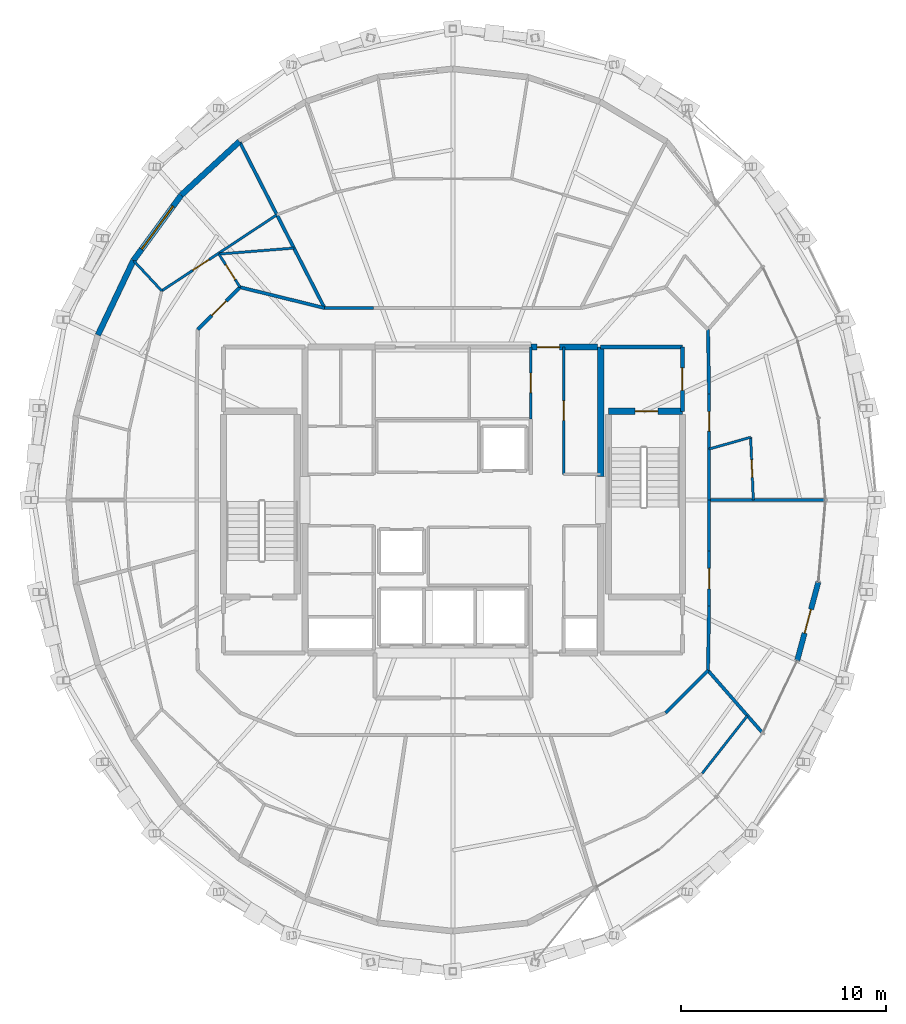
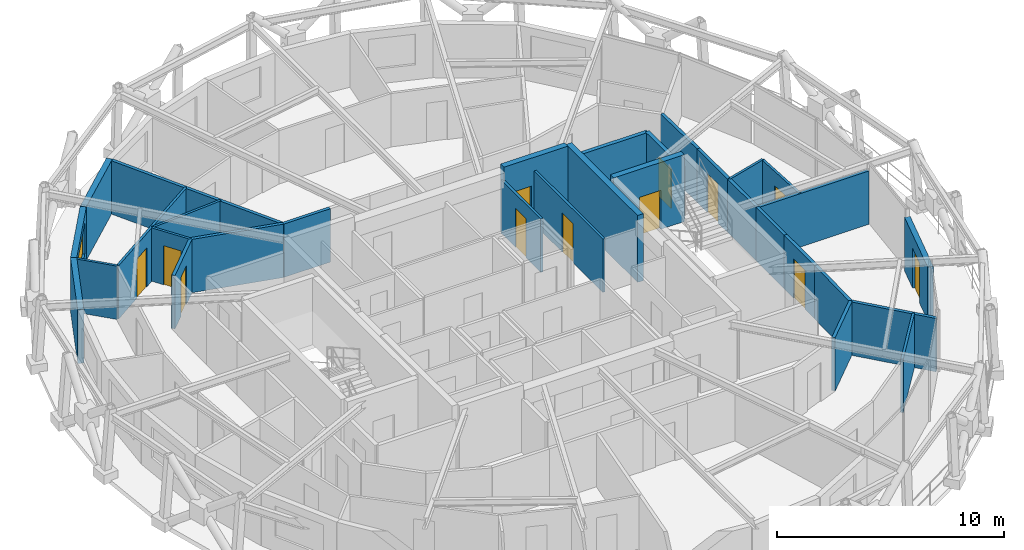
# One storey, part 13 of 16: 31 walls, 12 doors, 1 window, 13 openings.
"""IFC4 building model written with IfcOpenShell, lengths in metres."""

from ifc_helpers import new_model, si_unit, direction, frame, frame_2d, origin, place, context, subcontext, project, spatial, rectangle, extrude, material, layer, layer_set, type_object, element, fill, save


model = new_model("IFC4")

# Units and contexts
model_context = context("Model", 3, precision=1e-05, world=origin(), true_north=direction((0.0, 1.0)))
body_context = subcontext(model_context, "Body", "Model", "MODEL_VIEW")
ifc_project = project(units=[si_unit("LENGTHUNIT", "METRE"), si_unit("AREAUNIT", "SQUARE_METRE"), si_unit("VOLUMEUNIT", "CUBIC_METRE"), si_unit("PLANEANGLEUNIT", "RADIAN"), si_unit("MASSUNIT", "GRAM", prefix="KILO")], contexts=[model_context])

# Site, building, storey
site_placement = place(None, origin())
site = spatial("IfcSite", under=ifc_project, at=site_placement, CompositionType="ELEMENT")
building_placement = place(site_placement, origin())
building = spatial("IfcBuilding", under=site, at=building_placement, Name="Veldorina Hangang Commons", CompositionType="ELEMENT")
storey_placement = place(building_placement, frame((0.0, 0.0, 279.60009765625)))
storey = spatial("IfcBuildingStorey", under=building, at=storey_placement, Name="L73", CompositionType="ELEMENT", Elevation=279.60009765625)

# Wall
ifc_material_1 = material(Name="Concrete C50/60", Category="concrete")
ifc_layer_1 = layer(ifc_material_1, 0.300048828125)
ifc_layer_set_1 = layer_set([ifc_layer_1], Name="Concrete C50/60")
wall_type_1 = type_object("IfcWallType", Name="CW-RC300-C50", PredefinedType="SHEAR", material=ifc_layer_set_1)
wall_1_placement = place(storey_placement, frame((39.199951171875, 25.14990234375, 0.0), z_axis=(0.0, 0.0, 1.0), x_axis=(0.0, 1.0, 0.0)))
element("IfcWall", 1, at=wall_1_placement, inside=storey, type_object=wall_type_1, Name="L73 E north core shear wall", PredefinedType="SHEAR", context=body_context, shape_type="SweptSolid", body=[
    extrude(rectangle(XDim=6.300048828125, YDim=0.300048828125, at=frame_2d((3.14990234375, 0.0))), origin(), (0.0, 0.0, 1.0), 3.599853515625),
])

# Wall, opening, door
wall_2_placement = place(storey_placement, frame((35.800048828125, 31.449951171875, 0.0), z_axis=(0.0, 0.0, 1.0), x_axis=(1.0, 0.0, 0.0)))
wall_2 = element("IfcWall", 2, at=wall_2_placement, inside=storey, type_object=wall_type_1, Name="L73 north-east core shear wall", PredefinedType="SHEAR", context=body_context, shape_type="SweptSolid", body=[
    extrude(rectangle(XDim=3.25, YDim=0.300048828125, at=frame_2d((1.625, 0.0))), origin(), (0.0, 0.0, 1.0), 3.599853515625),
])
opening_1_placement = place(wall_2_placement, frame((0.300048828125, 0.0, 0.0)))
opening_1 = element("IfcOpeningElement", 3, at=opening_1_placement, cuts=wall_2, Name="Opening D-08", PredefinedType="OPENING", context=body_context, shape_type="SweptSolid", body=[
    extrude(rectangle(XDim=1.10009765625, YDim=2.10009765625, at=frame_2d((0.550048828125, 1.050048828125))), frame((0.0, 0.16015625, 0.0), z_axis=(0.0, -1.0, 0.0), x_axis=(1.0, 0.0, 0.0)), (0.0, 0.0, 1.0), 0.320068359375),
])
ifc_material_2 = material(Name="Steel Fire-Rated Smoke Seal", Category="steel")
door_type_1 = type_object("IfcDoorType", Name="DR-FIRE-1100", OperationType="SINGLE_SWING_RIGHT", PredefinedType="DOOR", material=ifc_material_2)
door_1_placement = place(opening_1_placement, origin())
door_1 = element("IfcDoor", 4, at=door_1_placement, inside=storey, type_object=door_type_1, Name="L73 central lift lobby north corridor door", OperationType="SINGLE_SWING_LEFT", OverallHeight=2.10009765625, OverallWidth=1.10009765625, PredefinedType="DOOR", context=body_context, shape_type="SweptSolid", body=[
    extrude(rectangle(XDim=1.10009765625, YDim=2.10009765625, at=frame_2d((0.550048828125, 1.050048828125))), frame((0.0, 0.02490234375, 0.0), z_axis=(0.0, -1.0, 0.0), x_axis=(1.0, 0.0, 0.0)), (0.0, 0.0, 1.0), 0.050048828125),
])
fill(opening_1, door_1)

ifc_material_3 = material(Name="Stone Roman Travertine", Category="masonry")
ifc_layer_2 = layer(ifc_material_3, 0.260009765625)
ifc_layer_set_2 = layer_set([ifc_layer_2], Name="Stone Roman Travertine")
wall_type_2 = type_object("IfcWallType", Name="EW-LOGGIA-260", PredefinedType="STANDARD", material=ifc_layer_set_2)
wall_3_placement = place(storey_placement, frame((48.77099609375, 16.177734375, 0.0), z_axis=(0.0, 0.0, 1.0), x_axis=(0.260114573909, 0.965577758878, 0.0)))
wall_3 = element("IfcWall", 5, at=wall_3_placement, inside=storey, type_object=wall_type_2, Name="L73 sky-garden loggia portal wall 30", PredefinedType="STANDARD", context=body_context, shape_type="SweptSolid", body=[
    extrude(rectangle(XDim=3.97119140625, YDim=0.260009765625, at=frame_2d((1.985595703125, 0.0))), origin(), (0.0, 0.0, 1.0), 2.8798828125),
])
opening_2_placement = place(wall_3_placement, frame((1.385498046875, 0.0, 0.0)))
opening_2 = element("IfcOpeningElement", 6, at=opening_2_placement, cuts=wall_3, Name="Opening BD-1200", PredefinedType="OPENING", context=body_context, shape_type="SweptSolid", body=[
    extrude(rectangle(XDim=1.199951171875, YDim=2.14990234375, at=frame_2d((0.60009765625, 1.074951171875))), frame((0.0, 0.14013671875, 0.0), z_axis=(0.0, -1.0, 0.0), x_axis=(1.0, 0.0, 0.0)), (0.0, 0.0, 1.0), 0.280029296875),
])
ifc_material_4 = material(Name="Glass Thermal Aluminium Frame", Category="aluminium")
door_type_2 = type_object("IfcDoorType", Name="DR-EXT-LOG1200", OperationType="SINGLE_SWING_LEFT", PredefinedType="DOOR", material=ifc_material_4)
door_2_placement = place(opening_2_placement, origin())
door_2 = element("IfcDoor", 7, at=door_2_placement, inside=storey, type_object=door_type_2, Name="L73 loggia glazed exterior door 30", OperationType="SINGLE_SWING_LEFT", OverallHeight=2.14990234375, OverallWidth=1.199951171875, PredefinedType="DOOR", context=body_context, shape_type="SweptSolid", body=[
    extrude(rectangle(XDim=1.199951171875, YDim=2.14990234375, at=frame_2d((0.60009765625, 1.074951171875))), frame((0.0, 0.02490234375, 0.0), z_axis=(0.0, -1.0, 0.0), x_axis=(1.0, 0.0, 0.0)), (0.0, 0.0, 1.0), 0.050048828125),
])
fill(opening_2, door_2)

# Wall
ifc_layer_3 = layer(ifc_material_3, 0.280029296875)
ifc_layer_set_3 = layer_set([ifc_layer_3], Name="Stone Roman Travertine")
wall_type_3 = type_object("IfcWallType", Name="EW-TRAV-280", PredefinedType="STANDARD", material=ifc_layer_set_3)
wall_4_placement = place(storey_placement, frame((21.603759765625, 41.46142578125, 0.0), z_axis=(0.0, 0.0, 1.0), x_axis=(-0.735545935602, -0.677474853127, 0.0)))
element("IfcWall", 8, at=wall_4_placement, inside=storey, type_object=wall_type_3, Name="L73 travertine facade wall 11", PredefinedType="STANDARD", context=body_context, shape_type="SweptSolid", body=[
    extrude(rectangle(XDim=3.855224609375, YDim=0.280029296875, at=frame_2d((1.927734375, 0.0))), origin(), (0.0, 0.0, 1.0), 2.8798828125),
])

# Wall, opening, window
wall_5_placement = place(storey_placement, frame((18.76806640625, 38.849609375, 0.0), z_axis=(0.0, 0.0, 1.0), x_axis=(-0.590275846693, -0.807201601095, 0.0)))
wall_5 = element("IfcWall", 9, at=wall_5_placement, inside=storey, type_object=wall_type_3, Name="L73 travertine facade wall 12", PredefinedType="STANDARD", context=body_context, shape_type="SweptSolid", body=[
    extrude(rectangle(XDim=3.9423828125, YDim=0.280029296875, at=frame_2d((1.97119140625, 0.0))), origin(), (0.0, 0.0, 1.0), 2.8798828125),
])
opening_3_placement = place(wall_5_placement, frame((0.671142578125, 0.0, 0.800048828125)))
opening_3 = element("IfcOpeningElement", 10, at=opening_3_placement, cuts=wall_5, Name="Opening W-02", PredefinedType="OPENING", context=body_context, shape_type="SweptSolid", body=[
    extrude(rectangle(XDim=2.60009765625, YDim=1.64990234375, at=frame_2d((1.300048828125, 0.824951171875))), frame((0.0, 0.14990234375, 0.0), z_axis=(0.0, -1.0, 0.0), x_axis=(1.0, 0.0, 0.0)), (0.0, 0.0, 1.0), 0.300048828125),
])
ifc_material_5 = material(Name="Glass Low-E Triple IGU", Category="glass")
window_type = type_object("IfcWindowType", Name="WIN-TWR-2600", PartitioningType="SINGLE_PANEL", PredefinedType="WINDOW", material=ifc_material_5)
window_placement = place(opening_3_placement, origin())
window = element("IfcWindow", 11, at=window_placement, inside=storey, type_object=window_type, Name="L73 facade window 12", OverallHeight=1.64990234375, OverallWidth=2.60009765625, PartitioningType="SINGLE_PANEL", PredefinedType="WINDOW", context=body_context, shape_type="SweptSolid", body=[
    extrude(rectangle(XDim=2.60009765625, YDim=1.64990234375, at=frame_2d((1.300048828125, 0.824951171875))), frame((0.0, 0.030029296875, 0.0), z_axis=(0.0, -1.0, 0.0), x_axis=(1.0, 0.0, 0.0)), (0.0, 0.0, 1.0), 0.06005859375),
])
fill(opening_3, window)

# Wall
wall_6_placement = place(storey_placement, frame((16.44091796875, 35.667236328125, 0.0), z_axis=(0.0, 0.0, 1.0), x_axis=(-0.430011346388, -0.902823483289, 0.0)))
element("IfcWall", 12, at=wall_6_placement, inside=storey, type_object=wall_type_3, Name="L73 travertine facade wall 13", PredefinedType="STANDARD", context=body_context, shape_type="SweptSolid", body=[
    extrude(rectangle(XDim=4.021484375, YDim=0.280029296875, at=frame_2d((2.0107421875, 0.0))), origin(), (0.0, 0.0, 1.0), 2.8798828125),
])

# Wall, opening, door
ifc_layer_4 = layer(ifc_material_1, 0.300048828125)
ifc_layer_set_4 = layer_set([ifc_layer_4], Name="Concrete C50/60")
wall_type_4 = type_object("IfcWallType", Name="SW-STAIR-300", PredefinedType="SHEAR", material=ifc_layer_set_4)
wall_7_placement = place(storey_placement, frame((39.580078125, 28.320068359375, 0.0), z_axis=(0.0, 0.0, 1.0), x_axis=(1.0, 0.0, 0.0)))
wall_7 = element("IfcWall", 13, at=wall_7_placement, inside=storey, type_object=wall_type_4, Name="L73 ST2 north stair shear wall", PredefinedType="SHEAR", context=body_context, shape_type="SweptSolid", body=[
    extrude(rectangle(XDim=3.599853515625, YDim=0.300048828125, at=frame_2d((1.7998046875, 0.0))), origin(), (0.0, 0.0, 1.0), 3.599853515625),
])
opening_4_placement = place(wall_7_placement, frame((1.300048828125, 0.0, 0.0)))
opening_4 = element("IfcOpeningElement", 14, at=opening_4_placement, cuts=wall_7, Name="Opening D-08", PredefinedType="OPENING", context=body_context, shape_type="SweptSolid", body=[
    extrude(rectangle(XDim=1.10009765625, YDim=2.10009765625, at=frame_2d((0.550048828125, 1.050048828125))), frame((0.0, 0.16015625, 0.0), z_axis=(0.0, -1.0, 0.0), x_axis=(1.0, 0.0, 0.0)), (0.0, 0.0, 1.0), 0.320068359375),
])
door_3_placement = place(opening_4_placement, origin())
door_3 = element("IfcDoor", 15, at=door_3_placement, inside=storey, type_object=door_type_1, Name="L73 Special Escape Stair ST-2 door", OperationType="SINGLE_SWING_RIGHT", OverallHeight=2.10009765625, OverallWidth=1.10009765625, PredefinedType="DOOR", context=body_context, shape_type="SweptSolid", body=[
    extrude(rectangle(XDim=1.10009765625, YDim=2.10009765625, at=frame_2d((0.550048828125, 1.050048828125))), frame((0.0, 0.02490234375, 0.0), z_axis=(0.0, -1.0, 0.0), x_axis=(1.0, 0.0, 0.0)), (0.0, 0.0, 1.0), 0.050048828125),
])
fill(opening_4, door_3)

# Wall
ifc_material_6 = material(Name="Gypsum Fire-Rated Twin Stud Wall", Category="gypsum")
ifc_layer_5 = layer(ifc_material_6, 0.159912109375)
ifc_layer_set_5 = layer_set([ifc_layer_5], Name="Gypsum Fire-Rated Twin Stud Wall")
wall_type_5 = type_object("IfcWallType", Name="WL-FIRE-160", PredefinedType="SOLIDWALL", material=ifc_layer_set_5)
wall_8_placement = place(storey_placement, frame((44.47998046875, 24.0, 0.0), z_axis=(0.0, 0.0, 1.0), x_axis=(0.0, 1.0, 0.0)))
element("IfcWall", 16, at=wall_8_placement, inside=storey, type_object=wall_type_5, Name="L73 Compact collar outer wall 00 054", PredefinedType="SOLIDWALL", context=body_context, shape_type="SweptSolid", body=[
    extrude(rectangle(XDim=2.482421875, YDim=0.159912109375, at=frame_2d((1.2412109375, 0.0))), origin(), (0.0, 0.0, 1.0), 2.869873046875),
])

# Wall, opening, door
wall_9_placement = place(storey_placement, frame((44.47998046875, 26.482421875, 0.0), z_axis=(0.0, 0.0, 1.0), x_axis=(0.0, 1.0, 0.0)))
wall_9 = element("IfcWall", 17, at=wall_9_placement, inside=storey, type_object=wall_type_5, Name="L73 Compact collar outer wall 01 055", PredefinedType="SOLIDWALL", context=body_context, shape_type="SweptSolid", body=[
    extrude(rectangle(XDim=2.68701171875, YDim=0.159912109375, at=frame_2d((1.343505859375, 0.0))), origin(), (0.0, 0.0, 1.0), 2.869873046875),
])
opening_5_placement = place(wall_9_placement, frame((0.868408203125, 0.0, 0.0)))
opening_5 = element("IfcOpeningElement", 18, at=opening_5_placement, cuts=wall_9, Name="Opening D-03", PredefinedType="OPENING", context=body_context, shape_type="SweptSolid", body=[
    extrude(rectangle(XDim=0.949951171875, YDim=2.10009765625, at=frame_2d((0.47509765625, 1.050048828125))), frame((0.0, 0.08984375, 0.0), z_axis=(0.0, -1.0, 0.0), x_axis=(1.0, 0.0, 0.0)), (0.0, 0.0, 1.0), 0.179931640625),
])
ifc_material_7 = material(Name="Timber Fire-Rated Entrance Core", Category="wood")
door_type_3 = type_object("IfcDoorType", Name="DR-UNIT-950", OperationType="SINGLE_SWING_RIGHT", PredefinedType="DOOR", material=ifc_material_7)
door_4_placement = place(opening_5_placement, origin())
door_4 = element("IfcDoor", 19, at=door_4_placement, inside=storey, type_object=door_type_3, Name="L73 Studio 2 entrance door 024", OperationType="SINGLE_SWING_RIGHT", OverallHeight=2.10009765625, OverallWidth=0.949951171875, PredefinedType="DOOR", context=body_context, shape_type="SweptSolid", body=[
    extrude(rectangle(XDim=0.949951171875, YDim=2.10009765625, at=frame_2d((0.47509765625, 1.050048828125))), frame((0.0, 0.02490234375, 0.0), z_axis=(0.0, -1.0, 0.0), x_axis=(1.0, 0.0, 0.0)), (0.0, 0.0, 1.0), 0.050048828125),
])
fill(opening_5, door_4)

# Walls
wall_10_placement = place(storey_placement, frame((44.47998046875, 29.16943359375, 0.0), z_axis=(0.0, 0.0, 1.0), x_axis=(-0.016981035134, 0.999855811828, 0.0)))
element("IfcWall", 20, at=wall_10_placement, inside=storey, type_object=wall_type_5, Name="L73 Compact collar outer wall 02 056", PredefinedType="SOLIDWALL", context=body_context, shape_type="SweptSolid", body=[
    extrude(rectangle(XDim=3.13427734375, YDim=0.159912109375, at=frame_2d((1.567138671875, 0.0))), origin(), (0.0, 0.0, 1.0), 2.869873046875),
])
wall_11_placement = place(storey_placement, frame((28.127197265625, 33.35009765625, 0.0), z_axis=(0.0, 0.0, 1.0), x_axis=(-1.0, 0.0, 0.0)))
element("IfcWall", 21, at=wall_11_placement, inside=storey, type_object=wall_type_5, Name="L73 Compact collar outer wall 10 064", PredefinedType="SOLIDWALL", context=body_context, shape_type="SweptSolid", body=[
    extrude(rectangle(XDim=2.374755859375, YDim=0.159912109375, at=frame_2d((1.1875, 0.0))), origin(), (0.0, 0.0, 1.0), 2.869873046875),
])
wall_12_placement = place(storey_placement, frame((25.75244140625, 33.35009765625, 0.0), z_axis=(0.0, 0.0, 1.0), x_axis=(-0.970939799552, 0.239323850978, 0.0)))
element("IfcWall", 22, at=wall_12_placement, inside=storey, type_object=wall_type_5, Name="L73 Compact collar outer wall 11 065", PredefinedType="SOLIDWALL", context=body_context, shape_type="SweptSolid", body=[
    extrude(rectangle(XDim=4.24072265625, YDim=0.159912109375, at=frame_2d((2.120361328125, 0.0))), origin(), (0.0, 0.0, 1.0), 2.869873046875),
])

# Wall, opening, door
wall_13_placement = place(storey_placement, frame((21.635009765625, 34.364990234375, 0.0), z_axis=(0.0, 0.0, 1.0), x_axis=(-0.707106781187, -0.707106781187, 0.0)))
wall_13 = element("IfcWall", 23, at=wall_13_placement, inside=storey, type_object=wall_type_5, Name="L73 Compact collar outer wall 12 066", PredefinedType="SOLIDWALL", context=body_context, shape_type="SweptSolid", body=[
    extrude(rectangle(XDim=2.915771484375, YDim=0.159912109375, at=frame_2d((1.4580078125, 0.0))), origin(), (0.0, 0.0, 1.0), 2.869873046875),
])
opening_6_placement = place(wall_13_placement, frame((0.9580078125, 0.0, 0.0)))
opening_6 = element("IfcOpeningElement", 24, at=opening_6_placement, cuts=wall_13, Name="Opening D-06", PredefinedType="OPENING", context=body_context, shape_type="SweptSolid", body=[
    extrude(rectangle(XDim=1.0, YDim=2.10009765625, at=frame_2d((0.5, 1.050048828125))), frame((0.0, 0.08984375, 0.0), z_axis=(0.0, -1.0, 0.0), x_axis=(1.0, 0.0, 0.0)), (0.0, 0.0, 1.0), 0.179931640625),
])
door_type_4 = type_object("IfcDoorType", Name="DR-UNIT-1000", OperationType="SINGLE_SWING_LEFT", PredefinedType="DOOR", material=ifc_material_7)
door_5_placement = place(opening_6_placement, origin())
door_5 = element("IfcDoor", 25, at=door_5_placement, inside=storey, type_object=door_type_4, Name="L73 Cluster 5 entrance door 034", OperationType="SINGLE_SWING_RIGHT", OverallHeight=2.10009765625, OverallWidth=1.0, PredefinedType="DOOR", context=body_context, shape_type="SweptSolid", body=[
    extrude(rectangle(XDim=1.0, YDim=2.10009765625, at=frame_2d((0.5, 1.050048828125))), frame((0.0, 0.02490234375, 0.0), z_axis=(0.0, -1.0, 0.0), x_axis=(1.0, 0.0, 0.0)), (0.0, 0.0, 1.0), 0.050048828125),
])
fill(opening_6, door_5)

# Walls
wall_14_placement = place(storey_placement, frame((42.364990234375, 13.635009765625, 0.0), z_axis=(0.0, 0.0, 1.0), x_axis=(0.707106781187, 0.707106781187, 0.0)))
element("IfcWall", 26, at=wall_14_placement, inside=storey, type_object=wall_type_5, Name="L73 Compact collar outer wall 28 082", PredefinedType="SOLIDWALL", context=body_context, shape_type="SweptSolid", body=[
    extrude(rectangle(XDim=2.915771484375, YDim=0.159912109375, at=frame_2d((1.4580078125, 0.0))), origin(), (0.0, 0.0, 1.0), 2.869873046875),
])
wall_15_placement = place(storey_placement, frame((44.4267578125, 15.69677734375, 0.0), z_axis=(0.0, 0.0, 1.0), x_axis=(0.016981035134, 0.999855811828, 0.0)))
element("IfcWall", 27, at=wall_15_placement, inside=storey, type_object=wall_type_5, Name="L73 Compact collar outer wall 29 083", PredefinedType="SOLIDWALL", context=body_context, shape_type="SweptSolid", body=[
    extrude(rectangle(XDim=3.13427734375, YDim=0.159912109375, at=frame_2d((1.567138671875, 0.0))), origin(), (0.0, 0.0, 1.0), 2.869873046875),
])

# Wall, opening, door
wall_16_placement = place(storey_placement, frame((44.47998046875, 18.83056640625, 0.0), z_axis=(0.0, 0.0, 1.0), x_axis=(0.0, 1.0, 0.0)))
wall_16 = element("IfcWall", 28, at=wall_16_placement, inside=storey, type_object=wall_type_5, Name="L73 Compact collar outer wall 30 084", PredefinedType="SOLIDWALL", context=body_context, shape_type="SweptSolid", body=[
    extrude(rectangle(XDim=2.68701171875, YDim=0.159912109375, at=frame_2d((1.343505859375, 0.0))), origin(), (0.0, 0.0, 1.0), 2.869873046875),
])
opening_7_placement = place(wall_16_placement, frame((0.843505859375, 0.0, 0.0)))
opening_7 = element("IfcOpeningElement", 29, at=opening_7_placement, cuts=wall_16, Name="Opening D-05", PredefinedType="OPENING", context=body_context, shape_type="SweptSolid", body=[
    extrude(rectangle(XDim=1.0, YDim=2.10009765625, at=frame_2d((0.5, 1.050048828125))), frame((0.0, 0.08984375, 0.0), z_axis=(0.0, -1.0, 0.0), x_axis=(1.0, 0.0, 0.0)), (0.0, 0.0, 1.0), 0.179931640625),
])
ifc_material_8 = material(Name="Timber Solid Core Acoustic", Category="wood")
door_type_5 = type_object("IfcDoorType", Name="DR-INT-1000", OperationType="SINGLE_SWING_RIGHT", PredefinedType="DOOR", material=ifc_material_8)
door_6_placement = place(opening_7_placement, origin())
door_6 = element("IfcDoor", 30, at=door_6_placement, inside=storey, type_object=door_type_5, Name="L73 Sky-Garden Commons Lounge door 022", OperationType="SINGLE_SWING_RIGHT", OverallHeight=2.10009765625, OverallWidth=1.0, PredefinedType="DOOR", context=body_context, shape_type="SweptSolid", body=[
    extrude(rectangle(XDim=1.0, YDim=2.10009765625, at=frame_2d((0.5, 1.050048828125))), frame((0.0, 0.02490234375, 0.0), z_axis=(0.0, -1.0, 0.0), x_axis=(1.0, 0.0, 0.0)), (0.0, 0.0, 1.0), 0.050048828125),
])
fill(opening_7, door_6)

# Walls
wall_17_placement = place(storey_placement, frame((44.47998046875, 21.517578125, 0.0), z_axis=(0.0, 0.0, 1.0), x_axis=(0.0, 1.0, 0.0)))
element("IfcWall", 31, at=wall_17_placement, inside=storey, type_object=wall_type_5, Name="L73 Compact collar outer wall 31 085", PredefinedType="SOLIDWALL", context=body_context, shape_type="SweptSolid", body=[
    extrude(rectangle(XDim=2.482421875, YDim=0.159912109375, at=frame_2d((1.2412109375, 0.0))), origin(), (0.0, 0.0, 1.0), 2.869873046875),
])
wall_18_placement = place(storey_placement, frame((44.4267578125, 15.69677734375, 0.0), z_axis=(0.0, 0.0, 1.0), x_axis=(0.657843835953, -0.753154358348, 0.0)))
element("IfcWall", 32, at=wall_18_placement, inside=storey, type_object=wall_type_5, Name="L73 Unit party wall 29 086", PredefinedType="SOLIDWALL", context=body_context, shape_type="SweptSolid", body=[
    extrude(rectangle(XDim=4.003662109375, YDim=0.159912109375, at=frame_2d((2.001953125, 0.0))), origin(), (0.0, 0.0, 1.0), 2.869873046875),
])
wall_19_placement = place(storey_placement, frame((44.47998046875, 24.0, 0.0), z_axis=(0.0, 0.0, 1.0), x_axis=(1.0, 0.0, 0.0)))
element("IfcWall", 33, at=wall_19_placement, inside=storey, type_object=wall_type_5, Name="L73 Unit party wall 00 087", PredefinedType="SOLIDWALL", context=body_context, shape_type="SweptSolid", body=[
    extrude(rectangle(XDim=5.622802734375, YDim=0.159912109375, at=frame_2d((2.8115234375, 0.0))), origin(), (0.0, 0.0, 1.0), 2.869873046875),
])
wall_20_placement = place(storey_placement, frame((25.75244140625, 33.35009765625, 0.0), z_axis=(0.0, 0.0, 1.0), x_axis=(-0.455343199474, 0.890315994854, 0.0)))
element("IfcWall", 34, at=wall_20_placement, inside=storey, type_object=wall_type_5, Name="L73 Unit party wall 11 103", PredefinedType="SOLIDWALL", context=body_context, shape_type="SweptSolid", body=[
    extrude(rectangle(XDim=9.060791015625, YDim=0.159912109375, at=frame_2d((4.5302734375, 0.0))), origin(), (0.0, 0.0, 1.0), 2.869873046875),
])

# Wall, opening, door
ifc_material_9 = material(Name="Concrete Blockwork Fire Wall C30/37", Category="masonry")
ifc_layer_6 = layer(ifc_material_9, 0.199951171875)
ifc_layer_set_6 = layer_set([ifc_layer_6], Name="Concrete Blockwork Fire Wall C30/37")
wall_type_6 = type_object("IfcWallType", Name="WL-FIRE-200", PredefinedType="SOLIDWALL", material=ifc_layer_set_6)
wall_21_placement = place(storey_placement, frame((43.179931640625, 28.320068359375, 0.0), z_axis=(0.0, 0.0, 1.0), x_axis=(0.0, 1.0, 0.0)))
wall_21 = element("IfcWall", 35, at=wall_21_placement, inside=storey, type_object=wall_type_6, Name="L73 East vestibule outer wall 003", PredefinedType="SOLIDWALL", context=body_context, shape_type="SweptSolid", body=[
    extrude(rectangle(XDim=3.1298828125, YDim=0.199951171875, at=frame_2d((1.56494140625, 0.0))), origin(), (0.0, 0.0, 1.0), 2.869873046875),
])
opening_8_placement = place(wall_21_placement, frame((1.014892578125, 0.0, 0.0)))
opening_8 = element("IfcOpeningElement", 36, at=opening_8_placement, cuts=wall_21, Name="Opening D-08", PredefinedType="OPENING", context=body_context, shape_type="SweptSolid", body=[
    extrude(rectangle(XDim=1.10009765625, YDim=2.10009765625, at=frame_2d((0.550048828125, 1.050048828125))), frame((0.0, 0.10986328125, 0.0), z_axis=(0.0, -1.0, 0.0), x_axis=(1.0, 0.0, 0.0)), (0.0, 0.0, 1.0), 0.219970703125),
])
door_7_placement = place(opening_8_placement, origin())
door_7 = element("IfcDoor", 37, at=door_7_placement, inside=storey, type_object=door_type_1, Name="L73 East vestibule east door 002", OperationType="SINGLE_SWING_RIGHT", OverallHeight=2.10009765625, OverallWidth=1.10009765625, PredefinedType="DOOR", context=body_context, shape_type="SweptSolid", body=[
    extrude(rectangle(XDim=1.10009765625, YDim=2.10009765625, at=frame_2d((0.550048828125, 1.050048828125))), frame((0.0, 0.02490234375, 0.0), z_axis=(0.0, -1.0, 0.0), x_axis=(1.0, 0.0, 0.0)), (0.0, 0.0, 1.0), 0.050048828125),
])
fill(opening_8, door_7)

# Wall
wall_22_placement = place(storey_placement, frame((39.199951171875, 31.449951171875, 0.0), z_axis=(0.0, 0.0, 1.0), x_axis=(1.0, 0.0, 0.0)))
element("IfcWall", 38, at=wall_22_placement, inside=storey, type_object=wall_type_6, Name="L73 East vestibule north wall 004", PredefinedType="SOLIDWALL", context=body_context, shape_type="SweptSolid", body=[
    extrude(rectangle(XDim=3.97998046875, YDim=0.199951171875, at=frame_2d((1.989990234375, 0.0))), origin(), (0.0, 0.0, 1.0), 2.869873046875),
])

# Wall, opening, door
ifc_material_10 = material(Name="Gypsum Acoustic Stud Partition", Category="gypsum")
ifc_layer_7 = layer(ifc_material_10, 0.1201171875)
ifc_layer_set_7 = layer_set([ifc_layer_7], Name="Gypsum Acoustic Stud Partition")
wall_type_7 = type_object("IfcWallType", Name="WL-PART-120", PredefinedType="PARTITIONING", material=ifc_layer_set_7)
wall_23_placement = place(storey_placement, frame((35.800048828125, 27.949951171875, 0.0), z_axis=(0.0, 0.0, 1.0), x_axis=(0.0, 1.0, 0.0)))
wall_23 = element("IfcWall", 39, at=wall_23_placement, inside=storey, type_object=wall_type_7, Name="L73 Merged north east wall 031", PredefinedType="PARTITIONING", context=body_context, shape_type="SweptSolid", body=[
    extrude(rectangle(XDim=3.5, YDim=0.1201171875, at=frame_2d((1.75, 0.0))), origin(), (0.0, 0.0, 1.0), 2.869873046875),
])
opening_9_placement = place(wall_23_placement, frame((1.27490234375, 0.0, 0.0)))
opening_9 = element("IfcOpeningElement", 40, at=opening_9_placement, cuts=wall_23, Name="Opening D-02", PredefinedType="OPENING", context=body_context, shape_type="SweptSolid", body=[
    extrude(rectangle(XDim=0.949951171875, YDim=2.10009765625, at=frame_2d((0.47509765625, 1.050048828125))), frame((0.0, 0.070068359375, 0.0), z_axis=(0.0, -1.0, 0.0), x_axis=(1.0, 0.0, 0.0)), (0.0, 0.0, 1.0), 0.14013671875),
])
door_type_6 = type_object("IfcDoorType", Name="DR-INT-950", OperationType="SINGLE_SWING_LEFT", PredefinedType="DOOR", material=ifc_material_8)
door_8_placement = place(opening_9_placement, origin())
door_8 = element("IfcDoor", 41, at=door_8_placement, inside=storey, type_object=door_type_6, Name="L73 Core linen store door 012", OperationType="SINGLE_SWING_RIGHT", OverallHeight=2.10009765625, OverallWidth=0.949951171875, PredefinedType="DOOR", context=body_context, shape_type="SweptSolid", body=[
    extrude(rectangle(XDim=0.949951171875, YDim=2.10009765625, at=frame_2d((0.47509765625, 1.050048828125))), frame((0.0, 0.02490234375, 0.0), z_axis=(0.0, -1.0, 0.0), x_axis=(1.0, 0.0, 0.0)), (0.0, 0.0, 1.0), 0.050048828125),
])
fill(opening_9, door_8)

wall_24_placement = place(storey_placement, frame((37.39990234375, 25.25, 0.0), z_axis=(0.0, 0.0, 1.0), x_axis=(0.0, 1.0, 0.0)))
wall_24 = element("IfcWall", 42, at=wall_24_placement, inside=storey, type_object=wall_type_7, Name="L73 NE strip lobby wall 047", PredefinedType="PARTITIONING", context=body_context, shape_type="SweptSolid", body=[
    extrude(rectangle(XDim=6.199951171875, YDim=0.1201171875, at=frame_2d((3.10009765625, 0.0))), origin(), (0.0, 0.0, 1.0), 2.869873046875),
])
opening_10_placement = place(wall_24_placement, frame((2.625, 0.0, 0.0)))
opening_10 = element("IfcOpeningElement", 43, at=opening_10_placement, cuts=wall_24, Name="Opening D-02", PredefinedType="OPENING", context=body_context, shape_type="SweptSolid", body=[
    extrude(rectangle(XDim=0.949951171875, YDim=2.10009765625, at=frame_2d((0.47509765625, 1.050048828125))), frame((0.0, 0.070068359375, 0.0), z_axis=(0.0, -1.0, 0.0), x_axis=(1.0, 0.0, 0.0)), (0.0, 0.0, 1.0), 0.14013671875),
])
door_9_placement = place(opening_10_placement, origin())
door_9 = element("IfcDoor", 44, at=door_9_placement, inside=storey, type_object=door_type_6, Name="L73 Switchboard door 020", OperationType="SINGLE_SWING_RIGHT", OverallHeight=2.10009765625, OverallWidth=0.949951171875, PredefinedType="DOOR", context=body_context, shape_type="SweptSolid", body=[
    extrude(rectangle(XDim=0.949951171875, YDim=2.10009765625, at=frame_2d((0.47509765625, 1.050048828125))), frame((0.0, 0.02490234375, 0.0), z_axis=(0.0, -1.0, 0.0), x_axis=(1.0, 0.0, 0.0)), (0.0, 0.0, 1.0), 0.050048828125),
])
fill(opening_10, door_9)

wall_25_placement = place(storey_placement, frame((46.635498046875, 24.0, 0.0), z_axis=(0.0, 0.0, 1.0), x_axis=(-0.043281280957, 0.999062926306, 0.0)))
wall_25 = element("IfcWall", 45, at=wall_25_placement, inside=storey, type_object=wall_type_7, Name="L73 Studio 2 bath front wall 088", PredefinedType="PARTITIONING", context=body_context, shape_type="SweptSolid", body=[
    extrude(rectangle(XDim=3.057373046875, YDim=0.1201171875, at=frame_2d((1.52880859375, 0.0))), origin(), (0.0, 0.0, 1.0), 2.869873046875),
])
opening_11_placement = place(wall_25_placement, frame((1.0986328125, 0.0, 0.0)))
opening_11 = element("IfcOpeningElement", 46, at=opening_11_placement, cuts=wall_25, Name="Opening D-01", PredefinedType="OPENING", context=body_context, shape_type="SweptSolid", body=[
    extrude(rectangle(XDim=0.860107421875, YDim=2.10009765625, at=frame_2d((0.43017578125, 1.050048828125))), frame((0.0, 0.070068359375, 0.0), z_axis=(0.0, -1.0, 0.0), x_axis=(1.0, 0.0, 0.0)), (0.0, 0.0, 1.0), 0.14013671875),
])
ifc_material_11 = material(Name="Timber Moisture-Resistant Core", Category="wood")
door_type_7 = type_object("IfcDoorType", Name="DR-WET-860", OperationType="SINGLE_SWING_LEFT", PredefinedType="DOOR", material=ifc_material_11)
door_10_placement = place(opening_11_placement, origin())
door_10 = element("IfcDoor", 47, at=door_10_placement, inside=storey, type_object=door_type_7, Name="L73 Studio 2 bathroom door 023", OperationType="SINGLE_SWING_LEFT", OverallHeight=2.10009765625, OverallWidth=0.860107421875, PredefinedType="DOOR", context=body_context, shape_type="SweptSolid", body=[
    extrude(rectangle(XDim=0.860107421875, YDim=2.10009765625, at=frame_2d((0.43017578125, 1.050048828125))), frame((0.0, 0.02490234375, 0.0), z_axis=(0.0, -1.0, 0.0), x_axis=(1.0, 0.0, 0.0)), (0.0, 0.0, 1.0), 0.050048828125),
])
fill(opening_11, door_10)

# Walls
wall_26_placement = place(storey_placement, frame((44.47998046875, 26.482421875, 0.0), z_axis=(0.0, 0.0, 1.0), x_axis=(0.962278347066, 0.272066871869, 0.0)))
element("IfcWall", 48, at=wall_26_placement, inside=storey, type_object=wall_type_7, Name="L73 Studio 2 bath side wall 089", PredefinedType="PARTITIONING", context=body_context, shape_type="SweptSolid", body=[
    extrude(rectangle(XDim=2.1025390625, YDim=0.1201171875, at=frame_2d((1.05126953125, 0.0))), origin(), (0.0, 0.0, 1.0), 2.869873046875),
])
wall_27_placement = place(storey_placement, frame((24.259033203125, 36.27001953125, 0.0), z_axis=(0.0, 0.0, 1.0), x_axis=(-0.996857888432, -0.079210796423, 0.0)))
element("IfcWall", 49, at=wall_27_placement, inside=storey, type_object=wall_type_7, Name="L73 Cluster 5 bath front wall 104", PredefinedType="PARTITIONING", context=body_context, shape_type="SweptSolid", body=[
    extrude(rectangle(XDim=3.667724609375, YDim=0.1201171875, at=frame_2d((1.833984375, 0.0))), origin(), (0.0, 0.0, 1.0), 2.869873046875),
])

# Wall, opening, door
wall_28_placement = place(storey_placement, frame((21.635009765625, 34.364990234375, 0.0), z_axis=(0.0, 0.0, 1.0), x_axis=(-0.538663184237, 0.842521200889, 0.0)))
wall_28 = element("IfcWall", 50, at=wall_28_placement, inside=storey, type_object=wall_type_7, Name="L73 Cluster 5 bath side wall 105", PredefinedType="PARTITIONING", context=body_context, shape_type="SweptSolid", body=[
    extrude(rectangle(XDim=1.916259765625, YDim=0.1201171875, at=frame_2d((0.9580078125, 0.0))), origin(), (0.0, 0.0, 1.0), 2.869873046875),
])
opening_12_placement = place(wall_28_placement, frame((0.43994140625, 0.0, 0.0)))
opening_12 = element("IfcOpeningElement", 51, at=opening_12_placement, cuts=wall_28, Name="Opening D-01", PredefinedType="OPENING", context=body_context, shape_type="SweptSolid", body=[
    extrude(rectangle(XDim=0.860107421875, YDim=2.10009765625, at=frame_2d((0.43017578125, 1.050048828125))), frame((0.0, 0.070068359375, 0.0), z_axis=(0.0, -1.0, 0.0), x_axis=(1.0, 0.0, 0.0)), (0.0, 0.0, 1.0), 0.14013671875),
])
door_11_placement = place(opening_12_placement, origin())
door_11 = element("IfcDoor", 52, at=door_11_placement, inside=storey, type_object=door_type_7, Name="L73 Cluster 5 shared bathroom door 033", OperationType="SINGLE_SWING_LEFT", OverallHeight=2.10009765625, OverallWidth=0.860107421875, PredefinedType="DOOR", context=body_context, shape_type="SweptSolid", body=[
    extrude(rectangle(XDim=0.860107421875, YDim=2.10009765625, at=frame_2d((0.43017578125, 1.050048828125))), frame((0.0, 0.02490234375, 0.0), z_axis=(0.0, -1.0, 0.0), x_axis=(1.0, 0.0, 0.0)), (0.0, 0.0, 1.0), 0.050048828125),
])
fill(opening_12, door_11)

wall_29_placement = place(storey_placement, frame((23.42919921875, 37.892333984375, 0.0), z_axis=(0.0, 0.0, 1.0), x_axis=(-0.834428061238, -0.551116875643, 0.0)))
wall_29 = element("IfcWall", 53, at=wall_29_placement, inside=storey, type_object=wall_type_7, Name="L73 Cluster 5 bed 1 front wall 106", PredefinedType="PARTITIONING", context=body_context, shape_type="SweptSolid", body=[
    extrude(rectangle(XDim=6.723388671875, YDim=0.1201171875, at=frame_2d((3.36181640625, 0.0))), origin(), (0.0, 0.0, 1.0), 2.869873046875),
])
opening_13_placement = place(wall_29_placement, frame((3.963134765625, 0.0, 0.0)))
opening_13 = element("IfcOpeningElement", 54, at=opening_13_placement, cuts=wall_29, Name="Opening D-02", PredefinedType="OPENING", context=body_context, shape_type="SweptSolid", body=[
    extrude(rectangle(XDim=0.949951171875, YDim=2.10009765625, at=frame_2d((0.47509765625, 1.050048828125))), frame((0.0, 0.070068359375, 0.0), z_axis=(0.0, -1.0, 0.0), x_axis=(1.0, 0.0, 0.0)), (0.0, 0.0, 1.0), 0.14013671875),
])
door_12_placement = place(opening_13_placement, origin())
door_12 = element("IfcDoor", 55, at=door_12_placement, inside=storey, type_object=door_type_6, Name="L73 Cluster 5 bed 1 door 035", OperationType="SINGLE_SWING_LEFT", OverallHeight=2.10009765625, OverallWidth=0.949951171875, PredefinedType="DOOR", context=body_context, shape_type="SweptSolid", body=[
    extrude(rectangle(XDim=0.949951171875, YDim=2.10009765625, at=frame_2d((0.47509765625, 1.050048828125))), frame((0.0, 0.02490234375, 0.0), z_axis=(0.0, -1.0, 0.0), x_axis=(1.0, 0.0, 0.0)), (0.0, 0.0, 1.0), 0.050048828125),
])
fill(opening_13, door_12)

# Walls
wall_30_placement = place(storey_placement, frame((17.819091796875, 34.18701171875, 0.0), z_axis=(0.0, 0.0, 1.0), x_axis=(-0.681404809589, 0.73190674643, 0.0)))
element("IfcWall", 56, at=wall_30_placement, inside=storey, type_object=wall_type_7, Name="L73 Cluster 5 bed divider 1 108", PredefinedType="PARTITIONING", context=body_context, shape_type="SweptSolid", body=[
    extrude(rectangle(XDim=1.972412109375, YDim=0.1201171875, at=frame_2d((0.986328125, 0.0))), origin(), (0.0, 0.0, 1.0), 2.869873046875),
])
wall_31_placement = place(storey_placement, frame((44.146484375, 10.68701171875, 0.0), z_axis=(0.0, 0.0, 1.0), x_axis=(0.617150729588, 0.786844951035, 0.0)))
element("IfcWall", 57, at=wall_31_placement, inside=storey, type_object=wall_type_7, Name="L73 Laundry split 2 127", PredefinedType="PARTITIONING", context=body_context, shape_type="SweptSolid", body=[
    extrude(rectangle(XDim=3.5693359375, YDim=0.1201171875, at=frame_2d((1.78466796875, 0.0))), origin(), (0.0, 0.0, 1.0), 2.869873046875),
])

save(model, "model.ifc")
